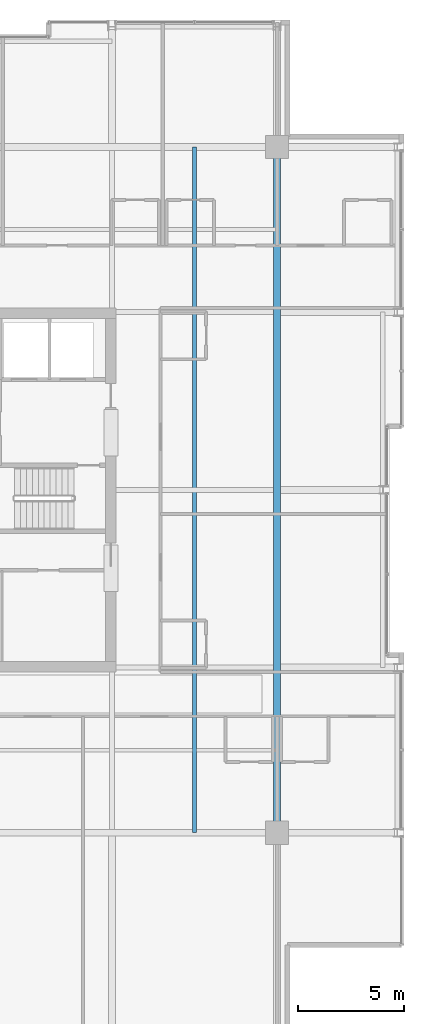
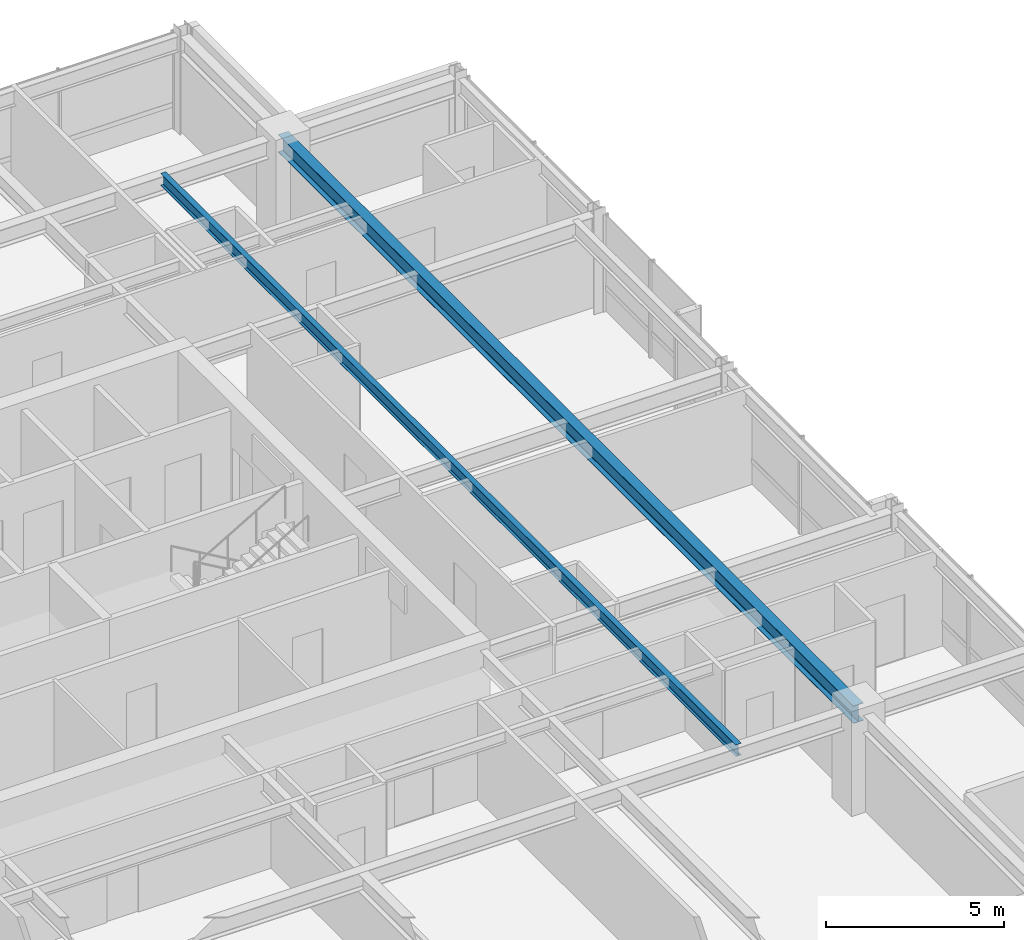
# One storey, part 15 of 32: 2 beams.
"""IFC4 building model written with IfcOpenShell, lengths in metres."""

import ifcopenshell
import ifcopenshell.guid

model = None  # the IFC model being written
_history = None  # IfcOwnerHistory: only IFC2X3 demands one
_inside = {}  # id of a spatial element -> (the spatial element, [elements in it])
_under = {}  # id of a project, library or spatial element -> (it, [spatial elements below it])
_declared = {}  # id of a project -> (the project, [libraries it declares])
_typed = {}  # id of a type object -> (the type object, [elements of that type])
_made_of = {}  # id of a material, layer set ... -> (it, [elements and type objects made of it])


def new_model(schema):
    """Start an empty IFC model of exactly this schema.

    Asked for "IFC4X3", IfcOpenShell would pick the latest addendum, in which some entities
    have other attributes; the version numbers below select the first issue.
    IFC2X3 requires an IfcOwnerHistory on every rooted entity: one is made here for all.
    """
    global model, _history
    if schema == "IFC4X3":
        model = ifcopenshell.file(schema_version=(4, 3, 0, 0))
    else:
        model = ifcopenshell.file(schema=schema)
    _inside.clear()
    _under.clear()
    _declared.clear()
    _typed.clear()
    _made_of.clear()
    _history = None
    if model.schema == "IFC2X3":
        org = make("IfcOrganization", Name="unknown")
        user = make(
            "IfcPersonAndOrganization",
            ThePerson=make("IfcPerson", FamilyName="unknown"),
            TheOrganization=org,
        )
        app = make(
            "IfcApplication",
            ApplicationDeveloper=org,
            Version="unknown",
            ApplicationFullName="unknown",
            ApplicationIdentifier="unknown",
        )
        _history = make(
            "IfcOwnerHistory",
            OwningUser=user,
            OwningApplication=app,
            ChangeAction="ADDED",
            CreationDate=0,
        )
    return model


def make(cls, **values):
    """One entity of the class cls with the attributes given. An attribute that is None is left unset."""
    return model.create_entity(
        cls, **{name: value for name, value in values.items() if value is not None}
    )


def rooted(cls, **values):
    """An entity with a GlobalId (a new one), such as an element, a storey or a relation."""
    return make(cls, GlobalId=ifcopenshell.guid.new(), OwnerHistory=_history, **values)


def si_unit(unit_type, name, prefix=None):
    """IfcSIUnit, for example si_unit("LENGTHUNIT", "METRE", prefix="MILLI")."""
    return make("IfcSIUnit", UnitType=unit_type, Prefix=prefix, Name=name)


def assignment(units):
    """IfcUnitAssignment: the units of a project."""
    return None if units is None else make("IfcUnitAssignment", Units=units)


def point(xyz):
    """IfcCartesianPoint."""
    return None if xyz is None else make("IfcCartesianPoint", Coordinates=xyz)


def direction(xyz):
    """IfcDirection."""
    return None if xyz is None else make("IfcDirection", DirectionRatios=xyz)


def frame(location, z_axis=None, x_axis=None):
    """IfcAxis2Placement3D, a coordinate frame: its origin and axes. An axis left out is left unset."""
    return make(
        "IfcAxis2Placement3D",
        Location=point(location),
        Axis=direction(z_axis),
        RefDirection=direction(x_axis),
    )


def frame_2d(location, x_axis=None):
    """IfcAxis2Placement2D, a coordinate frame in the plane: its origin and x axis."""
    return make(
        "IfcAxis2Placement2D", Location=point(location), RefDirection=direction(x_axis)
    )


def origin():
    """The frame at (0, 0, 0) with its axes left unset."""
    return frame((0.0, 0.0, 0.0))


def origin_2d():
    """The frame at (0, 0) in the plane with its x axis left unset."""
    return frame_2d((0.0, 0.0))


def place(relative_to, where):
    """IfcLocalPlacement: puts the frame where relative to a parent placement (None: the world)."""
    return make(
        "IfcLocalPlacement", PlacementRelTo=relative_to, RelativePlacement=where
    )


def context(
    kind, dimensions, precision=None, world=None, true_north=None, identifier=None
):
    """IfcGeometricRepresentationContext, for example the 3D "Model" context."""
    return make(
        "IfcGeometricRepresentationContext",
        ContextIdentifier=identifier,
        ContextType=kind,
        CoordinateSpaceDimension=dimensions,
        Precision=precision,
        WorldCoordinateSystem=world,
        TrueNorth=true_north,
    )


def subcontext(parent, identifier, kind, view, scale=None):
    """IfcGeometricRepresentationSubContext, for example "Body" below "Model"."""
    return make(
        "IfcGeometricRepresentationSubContext",
        ContextIdentifier=identifier,
        ContextType=kind,
        ParentContext=parent,
        TargetScale=scale,
        TargetView=view,
    )


def project(units=None, contexts=None):
    """IfcProject with its units and contexts."""
    return rooted(
        "IfcProject",
        Name="project",
        RepresentationContexts=contexts,
        UnitsInContext=assignment(units),
    )


def spatial(cls, under=None, at=None, **own):
    """A site, building, storey or space (cls), placed at a placement, below another one or the project."""
    s = rooted(cls, ObjectPlacement=at, **own)
    if under is not None:
        _under.setdefault(under.id(), (under, []))[1].append(s)
    return s


def profile(cls, at=None, kind="AREA", **sizes):
    """A parametric profile (cls). Its sizes go by their IFC names, for example OverallWidth=200.0."""
    return make(cls, ProfileType=kind, Position=at, **sizes)


def i_section(**sizes):
    """IfcIShapeProfileDef."""
    return profile("IfcIShapeProfileDef", **sizes)


def extrude(swept, where, along, depth):
    """IfcExtrudedAreaSolid: the profile swept, set in the frame where, extruded along a direction by depth."""
    return make(
        "IfcExtrudedAreaSolid",
        SweptArea=swept,
        Position=where,
        ExtrudedDirection=direction(along),
        Depth=depth,
    )


def shape(context_of_items, identifier, shape_type, items):
    """IfcShapeRepresentation: the items that make up one representation, for example the "Body"."""
    return make(
        "IfcShapeRepresentation",
        ContextOfItems=context_of_items,
        RepresentationIdentifier=identifier,
        RepresentationType=shape_type,
        Items=items,
    )


def material(Name=None, Category=None):
    """IfcMaterial."""
    return make("IfcMaterial", Name=Name, Category=Category)


def material_profile(
    of_material, cross_section, Name=None, Category=None, Priority=None
):
    """IfcMaterialProfile: a cross section and its material."""
    return make(
        "IfcMaterialProfile",
        Name=Name,
        Material=of_material,
        Profile=cross_section,
        Priority=Priority,
        Category=Category,
    )


def profile_set(profiles, Name=None, composite=None):
    """IfcMaterialProfileSet."""
    return make(
        "IfcMaterialProfileSet",
        Name=Name,
        MaterialProfiles=profiles,
        CompositeProfile=composite,
    )


def made_of(thing, what):
    """Note that an element or type object is made of a material, layer set ...; save() writes the relation."""
    if what is not None:
        _made_of.setdefault(what.id(), (what, []))[1].append(thing)
    return thing


def type_object(cls, material=None, **own):
    """A type object (cls), such as IfcWallType, which elements share."""
    return made_of(rooted(cls, **own), material)


def element(
    cls,
    number,
    at=None,
    inside=None,
    cuts=None,
    type_object=None,
    material=None,
    context=None,
    identifier="Body",
    shape_type=None,
    held_by="IfcProductDefinitionShape",
    body=None,
    shapes=None,
    **own,
):
    """One element of the class cls, such as IfcWall. Its Tag is "e" and its number.

    at: its placement. inside: the storey or other place that contains it. cuts: it is an
    opening in that element (IfcRelVoidsElement). A single representation is given by context,
    identifier, shape_type and body (its items); several are given by shapes. held_by: the class
    of the entity that holds the representations. save() writes the other relations.
    """
    e = rooted(cls, Tag="e%d" % number, ObjectPlacement=at, **own)
    if body is not None:
        shapes = [shape(context, identifier, shape_type, body)]
    if shapes is not None:
        e.Representation = make(held_by, Representations=shapes)
    if inside is not None:
        _inside.setdefault(inside.id(), (inside, []))[1].append(e)
    if cuts is not None:
        rooted(
            "IfcRelVoidsElement", RelatingBuildingElement=cuts, RelatedOpeningElement=e
        )
    if type_object is not None:
        _typed.setdefault(type_object.id(), (type_object, []))[1].append(e)
    return made_of(e, material)


def aggregate(whole, parts):
    """IfcRelAggregates: a whole, such as a stair, and the parts it consists of."""
    return rooted("IfcRelAggregates", RelatingObject=whole, RelatedObjects=parts)


def save(model, path):
    """Write the relations noted so far, then the file.

    IfcRelAggregates (storeys below a building ...), IfcRelContainedInSpatialStructure (elements
    in a storey), IfcRelDefinesByType, IfcRelAssociatesMaterial and IfcRelDeclares: one each for
    every whole, place, type object, material and project.
    """
    for whole, parts in _under.values():
        aggregate(whole, parts)
    for where, things in _inside.values():
        rooted(
            "IfcRelContainedInSpatialStructure",
            RelatedElements=things,
            RelatingStructure=where,
        )
    for kind, things in _typed.values():
        rooted("IfcRelDefinesByType", RelatedObjects=things, RelatingType=kind)
    for what, things in _made_of.values():
        rooted("IfcRelAssociatesMaterial", RelatedObjects=things, RelatingMaterial=what)
    for by, libraries in _declared.values():
        rooted("IfcRelDeclares", RelatingContext=by, RelatedDefinitions=libraries)
    model.write(path)


model = new_model("IFC4")

# Units and contexts
model_context = context("Model", 3, precision=1e-05, world=origin(), true_north=direction((0.0, 1.0)))
body_context = subcontext(model_context, "Body", "Model", "MODEL_VIEW")
ifc_project = project(units=[si_unit("LENGTHUNIT", "METRE"), si_unit("AREAUNIT", "SQUARE_METRE"), si_unit("VOLUMEUNIT", "CUBIC_METRE"), si_unit("PLANEANGLEUNIT", "RADIAN"), si_unit("MASSUNIT", "GRAM", prefix="KILO")], contexts=[model_context])

# Site, building, storey
site_placement = place(None, origin())
site = spatial("IfcSite", under=ifc_project, at=site_placement, CompositionType="ELEMENT")
building_placement = place(site_placement, origin())
building = spatial("IfcBuilding", under=site, at=building_placement, Name="Drelvath Grand Hotel", CompositionType="ELEMENT")
storey_placement = place(building_placement, frame((0.0, 0.0, 237.5)))
storey = spatial("IfcBuildingStorey", under=building, at=storey_placement, Name="L62", CompositionType="ELEMENT", Elevation=237.5)

# Beams
ifc_material = material(Name="Steel ASTM A992 Gr 50", Category="steel")
ifc_material_profile_1 = material_profile(ifc_material, i_section(OverallWidth=0.177734375, OverallDepth=0.40673828125, WebThickness=0.0078125, FlangeThickness=0.0126953125, FilletRadius=0.014892578125, at=origin_2d()), Name="W16X40")
ifc_profile_set_1 = profile_set([ifc_material_profile_1], Name="Steel ASTM A992 Gr 50")
beam_type_1 = type_object("IfcBeamType", Name="Composite Floor Joist W16X40", PredefinedType="JOIST", material=ifc_profile_set_1)
beam_1_placement = place(storey_placement, frame((12.300048828125, 10.800048828125, 3.13671875), z_axis=(0.0, 1.0, 0.0), x_axis=(-1.0, 0.0, 0.0)))
element("IfcBeam", 1, at=beam_1_placement, inside=storey, type_object=beam_type_1, Name="L62 Wing Floor Joist J4", PredefinedType="JOIST", context=body_context, shape_type="SweptSolid", body=[
    extrude(i_section(OverallWidth=0.177734375, OverallDepth=0.40673828125, WebThickness=0.0078125, FlangeThickness=0.0126953125, FilletRadius=0.014892578125, at=origin_2d()), origin(), (0.0, 0.0, 1.0), 32.39990234375),
])
ifc_material_profile_2 = material_profile(ifc_material, i_section(OverallWidth=0.323974609375, OverallDepth=0.611083984375, WebThickness=0.0126953125, FlangeThickness=0.01904296875, FilletRadius=0.02197265625, at=origin_2d()), Name="W24X104")
ifc_profile_set_2 = profile_set([ifc_material_profile_2], Name="Steel ASTM A992 Gr 50")
beam_type_2 = type_object("IfcBeamType", Name="Primary Floor Girder W24X104", PredefinedType="BEAM", material=ifc_profile_set_2)
beam_2_placement = place(storey_placement, frame((16.199951171875, 10.800048828125, 3.034423828125), z_axis=(0.0, 1.0, 0.0), x_axis=(-1.0, 0.0, 0.0)))
element("IfcBeam", 2, at=beam_2_placement, inside=storey, type_object=beam_type_2, Name="L62 Mega Ring Girder East", PredefinedType="BEAM", context=body_context, shape_type="SweptSolid", body=[
    extrude(i_section(OverallWidth=0.323974609375, OverallDepth=0.611083984375, WebThickness=0.0126953125, FlangeThickness=0.01904296875, FilletRadius=0.02197265625, at=origin_2d()), origin(), (0.0, 0.0, 1.0), 32.39990234375),
])

save(model, "model.ifc")
